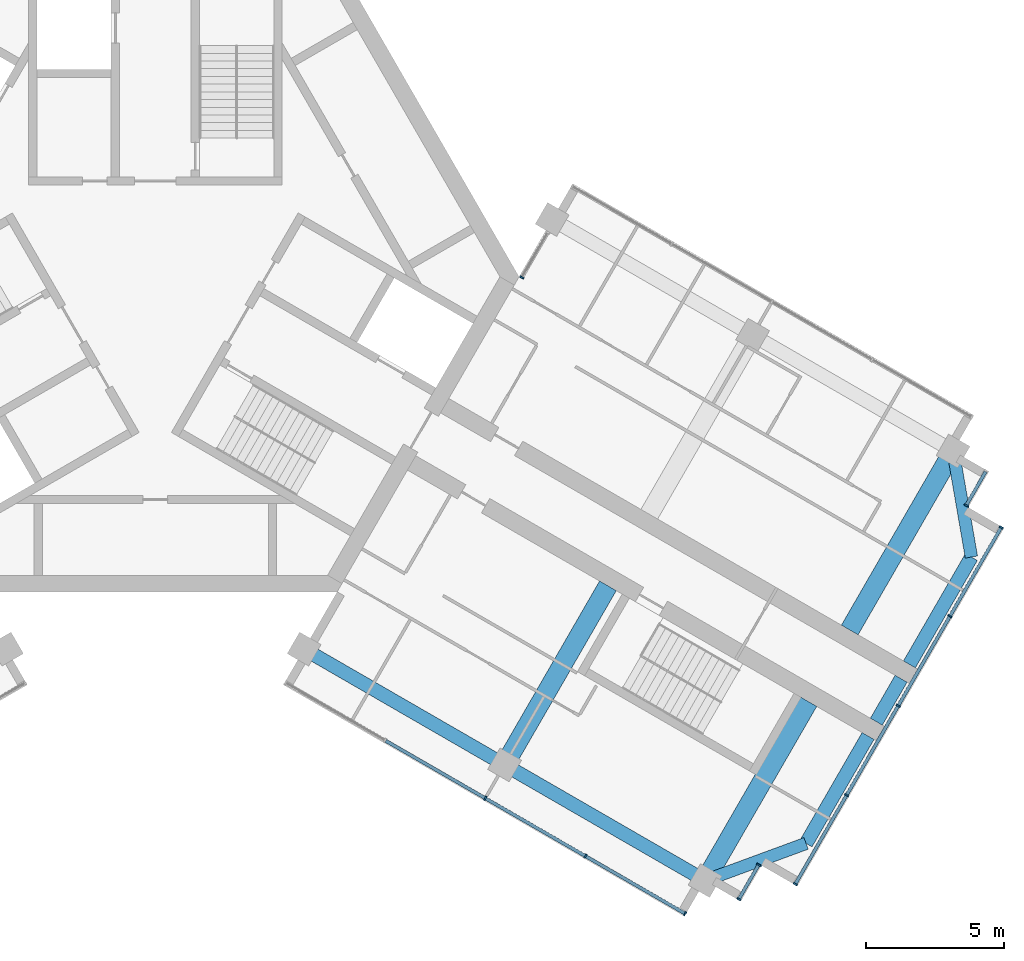
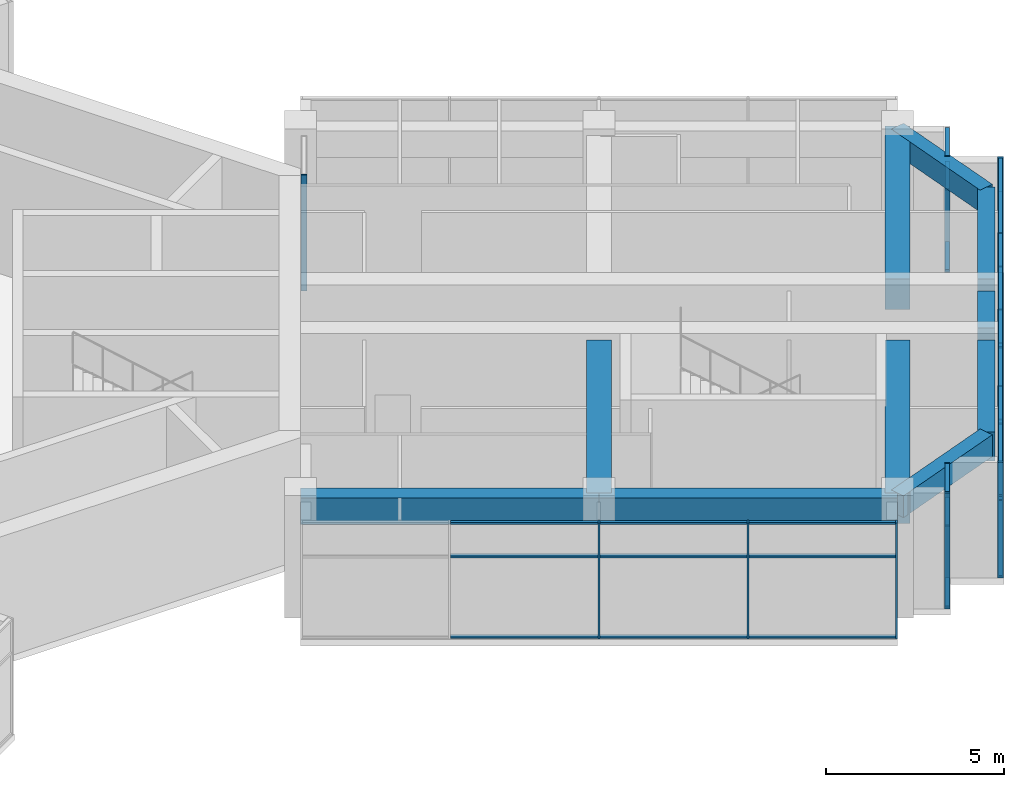
# One storey, part 4 of 13: 39 members, 10 beams, 5 elements without a shape of their own.
"""IFC4 building model written with IfcOpenShell, lengths in metres."""

from ifc_helpers import new_model, si_unit, direction, frame, origin, origin_2d, place, context, subcontext, project, spatial, rectangle, extrude, material, material_profile, profile_set, type_object, element, aggregate, save


model = new_model("IFC4")

# Units and contexts
model_context = context("Model", 3, precision=1e-05, world=origin(), true_north=direction((0.0, 1.0)))
body_context = subcontext(model_context, "Body", "Model", "MODEL_VIEW")
ifc_project = project(units=[si_unit("LENGTHUNIT", "METRE"), si_unit("AREAUNIT", "SQUARE_METRE"), si_unit("VOLUMEUNIT", "CUBIC_METRE"), si_unit("PLANEANGLEUNIT", "RADIAN"), si_unit("MASSUNIT", "GRAM", prefix="KILO")], contexts=[model_context])

# Site, building, storey
site_placement = place(None, origin())
site = spatial("IfcSite", under=ifc_project, at=site_placement, CompositionType="ELEMENT")
building_placement = place(site_placement, origin())
building = spatial("IfcBuilding", under=site, at=building_placement, Name="Impinga Residences", CompositionType="ELEMENT")
storey_placement = place(building_placement, frame((0.0, 0.0, 287.35009765625)))
storey = spatial("IfcBuildingStorey", under=building, at=storey_placement, Name="L72", CompositionType="ELEMENT", Elevation=287.35009765625)

# Beams
ifc_material_1 = material(Name="Concrete C60/75", Category="concrete")
ifc_material_profile_1 = material_profile(ifc_material_1, rectangle(XDim=0.449951171875, YDim=0.75, at=origin_2d()), Name="RC 450x750")
ifc_profile_set_1 = profile_set([ifc_material_profile_1], Name="Concrete C60/75")
beam_type_1 = type_object("IfcBeamType", Name="CB1 450x750 wing end cantilever beam", PredefinedType="BEAM", material=ifc_profile_set_1)
beam_1_placement = place(storey_placement, frame((28.94921875, -6.321533203125, 3.60498046875), z_axis=(0.170296298948, -0.985392901621, 0.0), x_axis=(0.985392901621, 0.170296298948, 0.0)))
element("IfcBeam", 1, at=beam_1_placement, inside=storey, type_object=beam_type_1, Name="Beam CB1 EB E3-EX level L73", PredefinedType="BEAM", context=body_context, shape_type="SweptSolid", body=[
    extrude(rectangle(XDim=0.449951171875, YDim=0.75, at=origin_2d()), origin(), (0.0, 0.0, 1.0), 3.9052734375),
])
beam_2_placement = place(storey_placement, frame((19.94921875, -21.909912109375, 3.60498046875), z_axis=(0.93854043338, 0.345169313396, 0.0), x_axis=(-0.345169313396, 0.93854043338, 0.0)))
element("IfcBeam", 2, at=beam_2_placement, inside=storey, type_object=beam_type_1, Name="Beam CB1 EE E3-EX level L73", PredefinedType="BEAM", context=body_context, shape_type="SweptSolid", body=[
    extrude(rectangle(XDim=0.449951171875, YDim=0.75, at=origin_2d()), origin(), (0.0, 0.0, 1.0), 3.905029296875),
])
ifc_material_profile_2 = material_profile(ifc_material_1, rectangle(XDim=0.699951171875, YDim=1.050048828125, at=origin_2d()), Name="RC 700x1050")
ifc_profile_set_2 = profile_set([ifc_material_profile_2], Name="Concrete C60/75")
beam_type_2 = type_object("IfcBeamType", Name="CG1 700x1050 cross girder on a wing bay line", PredefinedType="BEAM", material=ifc_profile_set_2)
for number, where, z_axis, x_axis, name in (
    (3, (25.19921875, -12.816650390625, 3.454833984375), (0.500004234368, 0.866022959057, 0.0), (-0.866022959057, 0.500004234368, 0.0), "Beam CG1 E3 EC/EA level L73"),
    (4, (16.424560546875, -11.21484375, 3.454833984375), (-0.500004234368, -0.866022959057, 0.0), (0.866022959057, -0.500004234368, 0.0), "Beam CG1 E2 EC/EF level L73"),
    (5, (23.69921875, -15.414794921875, 3.454833984375), (-0.500004234368, -0.866022959057, 0.0), (0.866022959057, -0.500004234368, 0.0), "Beam CG1 E3 EC/EF level L73"),
):
    element("IfcBeam", number, at=place(storey_placement, frame(where, z_axis=z_axis, x_axis=x_axis)), inside=storey, type_object=beam_type_2, Name=name, PredefinedType="BEAM", context=body_context, shape_type="SweptSolid", body=[
        extrude(rectangle(XDim=0.699951171875, YDim=1.050048828125, at=origin_2d()), origin(), (0.0, 0.0, 1.0), 7.5),
    ])

# Curtain wall, member
ifc_material_2 = material(Name="Aluminium stick curtain wall", Category="aluminium")
curtain_wall_type = type_object("IfcCurtainWallType", Name="CW3 penthouse curtain wall", PredefinedType="USERDEFINED", material=ifc_material_2)
curtain_wall_1_placement = place(storey_placement, origin())
curtain_wall_1 = element("IfcCurtainWall", 6, at=curtain_wall_1_placement, inside=storey, type_object=curtain_wall_type, Name="Curtain wall CW3 L72", ObjectType="STICK CURTAIN WALL", PredefinedType="USERDEFINED")
ifc_material_3 = material(Name="Aluminium mullion", Category="aluminium")
ifc_material_profile_3 = material_profile(ifc_material_3, rectangle(XDim=0.06005859375, YDim=0.159912109375, at=origin_2d()), Name="60x160 mullion")
ifc_profile_set_3 = profile_set([ifc_material_profile_3], Name="Aluminium mullion")
member_type_1 = type_object("IfcMemberType", Name="CW3-M mullion 60x160", PredefinedType="MULLION", material=ifc_profile_set_3)
member_1_placement = place(storey_placement, frame((29.4267578125, -8.294677734375, 0.0), z_axis=(0.0, 0.0, 1.0), x_axis=(-0.500000030502, -0.866025386174, 0.0)))
member_1 = element("IfcMember", 7, at=member_1_placement, type_object=member_type_1, Name="CW3 mullion 2", PredefinedType="MULLION", context=body_context, shape_type="SweptSolid", body=[
    extrude(rectangle(XDim=0.06005859375, YDim=0.159912109375, at=origin_2d()), origin(), (0.0, 0.0, 1.0), 3.97998046875),
])

# Curtain wall, members
curtain_wall_2_placement = place(storey_placement, origin())
curtain_wall_2 = element("IfcCurtainWall", 8, at=curtain_wall_2_placement, inside=storey, type_object=curtain_wall_type, Name="Curtain wall CW3 L72", ObjectType="STICK CURTAIN WALL", PredefinedType="USERDEFINED")
member_2_placement = place(storey_placement, frame((30.69580078125, -9.0966796875, 0.0), z_axis=(0.0, 0.0, 1.0), x_axis=(-0.500000001632, -0.866025402842, 0.0)))
member_2 = element("IfcMember", 9, at=member_2_placement, type_object=member_type_1, Name="CW3 mullion 1", PredefinedType="MULLION", context=body_context, shape_type="SweptSolid", body=[
    extrude(rectangle(XDim=0.06005859375, YDim=0.159912109375, at=origin_2d()), origin(), (0.0, 0.0, 1.0), 3.97998046875),
])
member_3_placement = place(storey_placement, frame((28.835693359375, -12.318115234375, 0.0), z_axis=(0.0, 0.0, 1.0), x_axis=(-0.500000001632, -0.866025402842, 0.0)))
member_3 = element("IfcMember", 10, at=member_3_placement, type_object=member_type_1, Name="CW3 mullion 2", PredefinedType="MULLION", context=body_context, shape_type="SweptSolid", body=[
    extrude(rectangle(XDim=0.06005859375, YDim=0.159912109375, at=origin_2d()), origin(), (0.0, 0.0, 1.0), 3.97998046875),
])
member_4_placement = place(storey_placement, frame((26.960693359375, -15.565673828125, 0.0), z_axis=(0.0, 0.0, 1.0), x_axis=(-0.500000001632, -0.866025402842, 0.0)))
member_4 = element("IfcMember", 11, at=member_4_placement, type_object=member_type_1, Name="CW3 mullion 3", PredefinedType="MULLION", context=body_context, shape_type="SweptSolid", body=[
    extrude(rectangle(XDim=0.06005859375, YDim=0.159912109375, at=origin_2d()), origin(), (0.0, 0.0, 1.0), 3.97998046875),
])
member_5_placement = place(storey_placement, frame((25.085693359375, -18.8134765625, 0.0), z_axis=(0.0, 0.0, 1.0), x_axis=(-0.500000001632, -0.866025402842, 0.0)))
member_5 = element("IfcMember", 12, at=member_5_placement, type_object=member_type_1, Name="CW3 mullion 4", PredefinedType="MULLION", context=body_context, shape_type="SweptSolid", body=[
    extrude(rectangle(XDim=0.06005859375, YDim=0.159912109375, at=origin_2d()), origin(), (0.0, 0.0, 1.0), 3.97998046875),
])
member_6_placement = place(storey_placement, frame((23.2255859375, -22.034912109375, 0.0), z_axis=(0.0, 0.0, 1.0), x_axis=(-0.500000001632, -0.866025402842, 0.0)))
member_6 = element("IfcMember", 13, at=member_6_placement, type_object=member_type_1, Name="CW3 mullion 5", PredefinedType="MULLION", context=body_context, shape_type="SweptSolid", body=[
    extrude(rectangle(XDim=0.06005859375, YDim=0.159912109375, at=origin_2d()), origin(), (0.0, 0.0, 1.0), 3.97998046875),
])

curtain_wall_3_placement = place(storey_placement, origin())
curtain_wall_3 = element("IfcCurtainWall", 14, at=curtain_wall_3_placement, inside=storey, type_object=curtain_wall_type, Name="Curtain wall CW3 L72", ObjectType="STICK CURTAIN WALL", PredefinedType="USERDEFINED")
member_7_placement = place(storey_placement, frame((21.896728515625, -21.3369140625, 0.0), z_axis=(0.0, 0.0, 1.0), x_axis=(-0.500000030502, -0.866025386174, 0.0)))
member_7 = element("IfcMember", 15, at=member_7_placement, type_object=member_type_1, Name="CW3 mullion 1", PredefinedType="MULLION", context=body_context, shape_type="SweptSolid", body=[
    extrude(rectangle(XDim=0.06005859375, YDim=0.159912109375, at=origin_2d()), origin(), (0.0, 0.0, 1.0), 3.97998046875),
])
member_8_placement = place(storey_placement, frame((21.1767578125, -22.583984375, 0.0), z_axis=(0.0, 0.0, 1.0), x_axis=(-0.500000030502, -0.866025386174, 0.0)))
member_8 = element("IfcMember", 16, at=member_8_placement, type_object=member_type_1, Name="CW3 mullion 2", PredefinedType="MULLION", context=body_context, shape_type="SweptSolid", body=[
    extrude(rectangle(XDim=0.06005859375, YDim=0.159912109375, at=origin_2d()), origin(), (0.0, 0.0, 1.0), 3.97998046875),
])

curtain_wall_4_placement = place(storey_placement, origin())
curtain_wall_4 = element("IfcCurtainWall", 17, at=curtain_wall_4_placement, inside=storey, type_object=curtain_wall_type, Name="Curtain wall CW3 L72", ObjectType="STICK CURTAIN WALL", PredefinedType="USERDEFINED")
member_9_placement = place(storey_placement, frame((19.22314453125, -23.107421875, 0.0), z_axis=(0.0, 0.0, 1.0), x_axis=(-0.866025407005, 0.499999994423, 0.0)))
member_9 = element("IfcMember", 18, at=member_9_placement, type_object=member_type_1, Name="CW3 mullion 1", PredefinedType="MULLION", context=body_context, shape_type="SweptSolid", body=[
    extrude(rectangle(XDim=0.06005859375, YDim=0.159912109375, at=origin_2d()), origin(), (0.0, 0.0, 1.0), 3.97998046875),
])
member_10_placement = place(storey_placement, frame((15.61181640625, -21.0224609375, 0.0), z_axis=(0.0, 0.0, 1.0), x_axis=(-0.866025407005, 0.499999994423, 0.0)))
member_10 = element("IfcMember", 19, at=member_10_placement, type_object=member_type_1, Name="CW3 mullion 2", PredefinedType="MULLION", context=body_context, shape_type="SweptSolid", body=[
    extrude(rectangle(XDim=0.06005859375, YDim=0.159912109375, at=origin_2d()), origin(), (0.0, 0.0, 1.0), 3.97998046875),
])
member_11_placement = place(storey_placement, frame((11.974609375, -18.92236328125, 0.0), z_axis=(0.0, 0.0, 1.0), x_axis=(-0.866025407005, 0.499999994423, 0.0)))
member_11 = element("IfcMember", 20, at=member_11_placement, type_object=member_type_1, Name="CW3 mullion 3", PredefinedType="MULLION", context=body_context, shape_type="SweptSolid", body=[
    extrude(rectangle(XDim=0.06005859375, YDim=0.159912109375, at=origin_2d()), origin(), (0.0, 0.0, 1.0), 3.97998046875),
])

# Curtain wall, member
curtain_wall_5_placement = place(storey_placement, origin())
curtain_wall_5 = element("IfcCurtainWall", 21, at=curtain_wall_5_placement, inside=storey, type_object=curtain_wall_type, Name="Curtain wall CW3 L72", ObjectType="STICK CURTAIN WALL", PredefinedType="USERDEFINED")
member_12_placement = place(storey_placement, frame((13.301513671875, -0.02392578125, 0.0), z_axis=(0.0, 0.0, 1.0), x_axis=(0.50000010257, 0.866025344565, 0.0)))
member_12 = element("IfcMember", 22, at=member_12_placement, type_object=member_type_1, Name="CW3 mullion 1", PredefinedType="MULLION", context=body_context, shape_type="SweptSolid", body=[
    extrude(rectangle(XDim=0.06005859375, YDim=0.159912109375, at=origin_2d()), origin(), (0.0, 0.0, 1.0), 3.97998046875),
])
aggregate(curtain_wall_5, [member_12])

# Member
ifc_material_4 = material(Name="Aluminium transom", Category="aluminium")
ifc_material_profile_4 = material_profile(ifc_material_4, rectangle(XDim=0.06005859375, YDim=0.1201171875, at=origin_2d()), Name="60x120 transom")
ifc_profile_set_4 = profile_set([ifc_material_profile_4], Name="Aluminium transom")
member_type_2 = type_object("IfcMemberType", Name="CW3-T transom 60x120", PredefinedType="USERDEFINED", material=ifc_profile_set_4)
member_13_placement = place(storey_placement, frame((30.131591796875, -7.073486328125, 0.02978515625), z_axis=(-0.499982807329, -0.86603532975, 0.0), x_axis=(0.0, 0.0, 1.0)))
member_13 = element("IfcMember", 23, at=member_13_placement, type_object=member_type_2, Name="CW3 transom 1.1", ObjectType="TRANSOM", PredefinedType="USERDEFINED", context=body_context, shape_type="SweptSolid", body=[
    extrude(rectangle(XDim=0.06005859375, YDim=0.1201171875, at=origin_2d()), origin(), (0.0, 0.0, 1.0), 1.3798828125),
])

member_14_placement = place(storey_placement, frame((30.131591796875, -7.073486328125, 2.7998046875), z_axis=(-0.499982807329, -0.86603532975, 0.0), x_axis=(0.0, 0.0, 1.0)))
member_14 = element("IfcMember", 24, at=member_14_placement, type_object=member_type_2, Name="CW3 transom 1.2", ObjectType="TRANSOM", PredefinedType="USERDEFINED", context=body_context, shape_type="SweptSolid", body=[
    extrude(rectangle(XDim=0.06005859375, YDim=0.1201171875, at=origin_2d()), origin(), (0.0, 0.0, 1.0), 1.3798828125),
])

member_15_placement = place(storey_placement, frame((30.131591796875, -7.073486328125, 3.949951171875), z_axis=(-0.499982807329, -0.86603532975, 0.0), x_axis=(0.0, 0.0, 1.0)))
member_15 = element("IfcMember", 25, at=member_15_placement, type_object=member_type_2, Name="CW3 transom 1.3", ObjectType="TRANSOM", PredefinedType="USERDEFINED", context=body_context, shape_type="SweptSolid", body=[
    extrude(rectangle(XDim=0.06005859375, YDim=0.1201171875, at=origin_2d()), origin(), (0.0, 0.0, 1.0), 1.3798828125),
])

aggregate(curtain_wall_1, [member_1, member_13, member_14, member_15])

member_16_placement = place(storey_placement, frame((30.6806640625, -9.12255859375, 0.02978515625), z_axis=(-0.500013080017, -0.866017851902, 0.0), x_axis=(0.0, 0.0, 1.0)))
member_16 = element("IfcMember", 26, at=member_16_placement, type_object=member_type_2, Name="CW3 transom 1.1", ObjectType="TRANSOM", PredefinedType="USERDEFINED", context=body_context, shape_type="SweptSolid", body=[
    extrude(rectangle(XDim=0.06005859375, YDim=0.1201171875, at=origin_2d()), origin(), (0.0, 0.0, 1.0), 3.66015625),
])

member_17_placement = place(storey_placement, frame((30.6806640625, -9.12255859375, 2.7998046875), z_axis=(-0.500013080017, -0.866017851902, 0.0), x_axis=(0.0, 0.0, 1.0)))
member_17 = element("IfcMember", 27, at=member_17_placement, type_object=member_type_2, Name="CW3 transom 1.2", ObjectType="TRANSOM", PredefinedType="USERDEFINED", context=body_context, shape_type="SweptSolid", body=[
    extrude(rectangle(XDim=0.06005859375, YDim=0.1201171875, at=origin_2d()), origin(), (0.0, 0.0, 1.0), 3.66015625),
])

member_18_placement = place(storey_placement, frame((30.6806640625, -9.12255859375, 3.949951171875), z_axis=(-0.500013080017, -0.866017851902, 0.0), x_axis=(0.0, 0.0, 1.0)))
member_18 = element("IfcMember", 28, at=member_18_placement, type_object=member_type_2, Name="CW3 transom 1.3", ObjectType="TRANSOM", PredefinedType="USERDEFINED", context=body_context, shape_type="SweptSolid", body=[
    extrude(rectangle(XDim=0.06005859375, YDim=0.1201171875, at=origin_2d()), origin(), (0.0, 0.0, 1.0), 3.66015625),
])

member_19_placement = place(storey_placement, frame((28.82080078125, -12.34423828125, 0.02978515625), z_axis=(-0.500052713345, -0.865994967581, 0.0), x_axis=(0.0, 0.0, 1.0)))
member_19 = element("IfcMember", 29, at=member_19_placement, type_object=member_type_2, Name="CW3 transom 2.1", ObjectType="TRANSOM", PredefinedType="USERDEFINED", context=body_context, shape_type="SweptSolid", body=[
    extrude(rectangle(XDim=0.06005859375, YDim=0.1201171875, at=origin_2d()), origin(), (0.0, 0.0, 1.0), 3.68994140625),
])

member_20_placement = place(storey_placement, frame((28.82080078125, -12.34423828125, 2.7998046875), z_axis=(-0.500052713345, -0.865994967581, 0.0), x_axis=(0.0, 0.0, 1.0)))
member_20 = element("IfcMember", 30, at=member_20_placement, type_object=member_type_2, Name="CW3 transom 2.2", ObjectType="TRANSOM", PredefinedType="USERDEFINED", context=body_context, shape_type="SweptSolid", body=[
    extrude(rectangle(XDim=0.06005859375, YDim=0.1201171875, at=origin_2d()), origin(), (0.0, 0.0, 1.0), 3.68994140625),
])

member_21_placement = place(storey_placement, frame((28.82080078125, -12.34423828125, 3.949951171875), z_axis=(-0.500052713345, -0.865994967581, 0.0), x_axis=(0.0, 0.0, 1.0)))
member_21 = element("IfcMember", 31, at=member_21_placement, type_object=member_type_2, Name="CW3 transom 2.3", ObjectType="TRANSOM", PredefinedType="USERDEFINED", context=body_context, shape_type="SweptSolid", body=[
    extrude(rectangle(XDim=0.06005859375, YDim=0.1201171875, at=origin_2d()), origin(), (0.0, 0.0, 1.0), 3.68994140625),
])

member_22_placement = place(storey_placement, frame((26.94580078125, -15.591796875, 0.02978515625), z_axis=(-0.500052713345, -0.865994967581, 0.0), x_axis=(0.0, 0.0, 1.0)))
member_22 = element("IfcMember", 32, at=member_22_placement, type_object=member_type_2, Name="CW3 transom 3.1", ObjectType="TRANSOM", PredefinedType="USERDEFINED", context=body_context, shape_type="SweptSolid", body=[
    extrude(rectangle(XDim=0.06005859375, YDim=0.1201171875, at=origin_2d()), origin(), (0.0, 0.0, 1.0), 3.68994140625),
])

member_23_placement = place(storey_placement, frame((26.94580078125, -15.591796875, 2.7998046875), z_axis=(-0.500052713345, -0.865994967581, 0.0), x_axis=(0.0, 0.0, 1.0)))
member_23 = element("IfcMember", 33, at=member_23_placement, type_object=member_type_2, Name="CW3 transom 3.2", ObjectType="TRANSOM", PredefinedType="USERDEFINED", context=body_context, shape_type="SweptSolid", body=[
    extrude(rectangle(XDim=0.06005859375, YDim=0.1201171875, at=origin_2d()), origin(), (0.0, 0.0, 1.0), 3.68994140625),
])

member_24_placement = place(storey_placement, frame((26.94580078125, -15.591796875, 3.949951171875), z_axis=(-0.500052713345, -0.865994967581, 0.0), x_axis=(0.0, 0.0, 1.0)))
member_24 = element("IfcMember", 34, at=member_24_placement, type_object=member_type_2, Name="CW3 transom 3.3", ObjectType="TRANSOM", PredefinedType="USERDEFINED", context=body_context, shape_type="SweptSolid", body=[
    extrude(rectangle(XDim=0.06005859375, YDim=0.1201171875, at=origin_2d()), origin(), (0.0, 0.0, 1.0), 3.68994140625),
])

member_25_placement = place(storey_placement, frame((25.07080078125, -18.83935546875, 0.02978515625), z_axis=(-0.500013080017, -0.866017851902, 0.0), x_axis=(0.0, 0.0, 1.0)))
member_25 = element("IfcMember", 35, at=member_25_placement, type_object=member_type_2, Name="CW3 transom 4.1", ObjectType="TRANSOM", PredefinedType="USERDEFINED", context=body_context, shape_type="SweptSolid", body=[
    extrude(rectangle(XDim=0.06005859375, YDim=0.1201171875, at=origin_2d()), origin(), (0.0, 0.0, 1.0), 3.66015625),
])

member_26_placement = place(storey_placement, frame((25.07080078125, -18.83935546875, 2.7998046875), z_axis=(-0.500013080017, -0.866017851902, 0.0), x_axis=(0.0, 0.0, 1.0)))
member_26 = element("IfcMember", 36, at=member_26_placement, type_object=member_type_2, Name="CW3 transom 4.2", ObjectType="TRANSOM", PredefinedType="USERDEFINED", context=body_context, shape_type="SweptSolid", body=[
    extrude(rectangle(XDim=0.06005859375, YDim=0.1201171875, at=origin_2d()), origin(), (0.0, 0.0, 1.0), 3.66015625),
])

member_27_placement = place(storey_placement, frame((25.07080078125, -18.83935546875, 3.949951171875), z_axis=(-0.500013080017, -0.866017851902, 0.0), x_axis=(0.0, 0.0, 1.0)))
member_27 = element("IfcMember", 37, at=member_27_placement, type_object=member_type_2, Name="CW3 transom 4.3", ObjectType="TRANSOM", PredefinedType="USERDEFINED", context=body_context, shape_type="SweptSolid", body=[
    extrude(rectangle(XDim=0.06005859375, YDim=0.1201171875, at=origin_2d()), origin(), (0.0, 0.0, 1.0), 3.66015625),
])

aggregate(curtain_wall_2, [member_2, member_3, member_4, member_5, member_6, member_16, member_17, member_18, member_19, member_20, member_21, member_22, member_23, member_24, member_25, member_26, member_27])

member_28_placement = place(storey_placement, frame((21.881591796875, -21.363037109375, 0.02978515625), z_axis=(-0.499982807329, -0.86603532975, 0.0), x_axis=(0.0, 0.0, 1.0)))
member_28 = element("IfcMember", 38, at=member_28_placement, type_object=member_type_2, Name="CW3 transom 1.1", ObjectType="TRANSOM", PredefinedType="USERDEFINED", context=body_context, shape_type="SweptSolid", body=[
    extrude(rectangle(XDim=0.06005859375, YDim=0.1201171875, at=origin_2d()), origin(), (0.0, 0.0, 1.0), 1.3798828125),
])

member_29_placement = place(storey_placement, frame((21.881591796875, -21.363037109375, 2.7998046875), z_axis=(-0.499982807329, -0.86603532975, 0.0), x_axis=(0.0, 0.0, 1.0)))
member_29 = element("IfcMember", 39, at=member_29_placement, type_object=member_type_2, Name="CW3 transom 1.2", ObjectType="TRANSOM", PredefinedType="USERDEFINED", context=body_context, shape_type="SweptSolid", body=[
    extrude(rectangle(XDim=0.06005859375, YDim=0.1201171875, at=origin_2d()), origin(), (0.0, 0.0, 1.0), 1.3798828125),
])

member_30_placement = place(storey_placement, frame((21.881591796875, -21.363037109375, 3.949951171875), z_axis=(-0.499982807329, -0.86603532975, 0.0), x_axis=(0.0, 0.0, 1.0)))
member_30 = element("IfcMember", 40, at=member_30_placement, type_object=member_type_2, Name="CW3 transom 1.3", ObjectType="TRANSOM", PredefinedType="USERDEFINED", context=body_context, shape_type="SweptSolid", body=[
    extrude(rectangle(XDim=0.06005859375, YDim=0.1201171875, at=origin_2d()), origin(), (0.0, 0.0, 1.0), 1.3798828125),
])

aggregate(curtain_wall_3, [member_7, member_8, member_28, member_29, member_30])

member_31_placement = place(storey_placement, frame((19.197265625, -23.092529296875, 0.02978515625), z_axis=(-0.866004557827, 0.500036104519, 0.0), x_axis=(0.0, 0.0, 1.0)))
member_31 = element("IfcMember", 41, at=member_31_placement, type_object=member_type_2, Name="CW3 transom 1.1", ObjectType="TRANSOM", PredefinedType="USERDEFINED", context=body_context, shape_type="SweptSolid", body=[
    extrude(rectangle(XDim=0.06005859375, YDim=0.1201171875, at=origin_2d()), origin(), (0.0, 0.0, 1.0), 4.110107421875),
])

member_32_placement = place(storey_placement, frame((19.197265625, -23.092529296875, 2.7998046875), z_axis=(-0.866004557827, 0.500036104519, 0.0), x_axis=(0.0, 0.0, 1.0)))
member_32 = element("IfcMember", 42, at=member_32_placement, type_object=member_type_2, Name="CW3 transom 1.2", ObjectType="TRANSOM", PredefinedType="USERDEFINED", context=body_context, shape_type="SweptSolid", body=[
    extrude(rectangle(XDim=0.06005859375, YDim=0.1201171875, at=origin_2d()), origin(), (0.0, 0.0, 1.0), 4.110107421875),
])

member_33_placement = place(storey_placement, frame((19.197265625, -23.092529296875, 3.949951171875), z_axis=(-0.866004557827, 0.500036104519, 0.0), x_axis=(0.0, 0.0, 1.0)))
member_33 = element("IfcMember", 43, at=member_33_placement, type_object=member_type_2, Name="CW3 transom 1.3", ObjectType="TRANSOM", PredefinedType="USERDEFINED", context=body_context, shape_type="SweptSolid", body=[
    extrude(rectangle(XDim=0.06005859375, YDim=0.1201171875, at=origin_2d()), origin(), (0.0, 0.0, 1.0), 4.110107421875),
])

member_34_placement = place(storey_placement, frame((15.5859375, -21.00732421875, 0.02978515625), z_axis=(-0.866050071143, 0.499957272447, 0.0), x_axis=(0.0, 0.0, 1.0)))
member_34 = element("IfcMember", 44, at=member_34_placement, type_object=member_type_2, Name="CW3 transom 2.1", ObjectType="TRANSOM", PredefinedType="USERDEFINED", context=body_context, shape_type="SweptSolid", body=[
    extrude(rectangle(XDim=0.06005859375, YDim=0.1201171875, at=origin_2d()), origin(), (0.0, 0.0, 1.0), 4.139892578125),
])

member_35_placement = place(storey_placement, frame((15.5859375, -21.00732421875, 2.7998046875), z_axis=(-0.866050071143, 0.499957272447, 0.0), x_axis=(0.0, 0.0, 1.0)))
member_35 = element("IfcMember", 45, at=member_35_placement, type_object=member_type_2, Name="CW3 transom 2.2", ObjectType="TRANSOM", PredefinedType="USERDEFINED", context=body_context, shape_type="SweptSolid", body=[
    extrude(rectangle(XDim=0.06005859375, YDim=0.1201171875, at=origin_2d()), origin(), (0.0, 0.0, 1.0), 4.139892578125),
])

member_36_placement = place(storey_placement, frame((15.5859375, -21.00732421875, 3.949951171875), z_axis=(-0.866050071143, 0.499957272447, 0.0), x_axis=(0.0, 0.0, 1.0)))
member_36 = element("IfcMember", 46, at=member_36_placement, type_object=member_type_2, Name="CW3 transom 2.3", ObjectType="TRANSOM", PredefinedType="USERDEFINED", context=body_context, shape_type="SweptSolid", body=[
    extrude(rectangle(XDim=0.06005859375, YDim=0.1201171875, at=origin_2d()), origin(), (0.0, 0.0, 1.0), 4.139892578125),
])

member_37_placement = place(storey_placement, frame((11.94873046875, -18.907470703125, 0.02978515625), z_axis=(-0.866024536972, 0.500001501361, 0.0), x_axis=(0.0, 0.0, 1.0)))
member_37 = element("IfcMember", 47, at=member_37_placement, type_object=member_type_2, Name="CW3 transom 3.1", ObjectType="TRANSOM", PredefinedType="USERDEFINED", context=body_context, shape_type="SweptSolid", body=[
    extrude(rectangle(XDim=0.06005859375, YDim=0.1201171875, at=origin_2d()), origin(), (0.0, 0.0, 1.0), 4.14013671875),
])

member_38_placement = place(storey_placement, frame((11.94873046875, -18.907470703125, 2.7998046875), z_axis=(-0.866024536972, 0.500001501361, 0.0), x_axis=(0.0, 0.0, 1.0)))
member_38 = element("IfcMember", 48, at=member_38_placement, type_object=member_type_2, Name="CW3 transom 3.2", ObjectType="TRANSOM", PredefinedType="USERDEFINED", context=body_context, shape_type="SweptSolid", body=[
    extrude(rectangle(XDim=0.06005859375, YDim=0.1201171875, at=origin_2d()), origin(), (0.0, 0.0, 1.0), 4.14013671875),
])

member_39_placement = place(storey_placement, frame((11.94873046875, -18.907470703125, 3.949951171875), z_axis=(-0.866024536972, 0.500001501361, 0.0), x_axis=(0.0, 0.0, 1.0)))
member_39 = element("IfcMember", 49, at=member_39_placement, type_object=member_type_2, Name="CW3 transom 3.3", ObjectType="TRANSOM", PredefinedType="USERDEFINED", context=body_context, shape_type="SweptSolid", body=[
    extrude(rectangle(XDim=0.06005859375, YDim=0.1201171875, at=origin_2d()), origin(), (0.0, 0.0, 1.0), 4.14013671875),
])

aggregate(curtain_wall_4, [member_9, member_10, member_11, member_31, member_32, member_33, member_34, member_35, member_36, member_37, member_38, member_39])

# Beams
ifc_material_profile_5 = material_profile(ifc_material_1, rectangle(XDim=0.5, YDim=1.0, at=origin_2d()), Name="RC 500x1000")
ifc_profile_set_5 = profile_set([ifc_material_profile_5], Name="Concrete C60/75")
beam_type_3 = type_object("IfcBeamType", Name="EB1 500x1000 wing end beam", PredefinedType="BEAM", material=ifc_profile_set_5)
beam_3_placement = place(storey_placement, frame((29.6142578125, -10.169677734375, 3.47998046875), z_axis=(-0.500013631625, -0.866017533419, 0.0), x_axis=(0.866017533419, -0.500013631625, 0.0)))
element("IfcBeam", 50, at=beam_3_placement, inside=storey, type_object=beam_type_3, Name="Beam EB1 EX2 level L73", PredefinedType="BEAM", context=body_context, shape_type="SweptSolid", body=[
    extrude(rectangle(XDim=0.5, YDim=1.0, at=origin_2d()), origin(), (0.0, 0.0, 1.0), 4.499755859375),
])
beam_4_placement = place(storey_placement, frame((27.064208984375, -14.58642578125, 3.47998046875), z_axis=(-0.499961193289, -0.866047807691, 0.0), x_axis=(0.866047807691, -0.499961193289, 0.0)))
element("IfcBeam", 51, at=beam_4_placement, inside=storey, type_object=beam_type_3, Name="Beam EB1 EX2 level L73", PredefinedType="BEAM", context=body_context, shape_type="SweptSolid", body=[
    extrude(rectangle(XDim=0.5, YDim=1.0, at=origin_2d()), origin(), (0.0, 0.0, 1.0), 1.800048828125),
])
beam_5_placement = place(storey_placement, frame((25.8642578125, -16.664794921875, 3.47998046875), z_axis=(-0.499990139034, -0.866031096941, 0.0), x_axis=(0.866031096941, -0.499990139034, 0.0)))
element("IfcBeam", 52, at=beam_5_placement, inside=storey, type_object=beam_type_3, Name="Beam EB1 EX2 level L73", PredefinedType="BEAM", context=body_context, shape_type="SweptSolid", body=[
    extrude(rectangle(XDim=0.5, YDim=1.0, at=origin_2d()), origin(), (0.0, 0.0, 1.0), 4.5),
])
ifc_material_profile_6 = material_profile(ifc_material_1, rectangle(XDim=0.5, YDim=0.89990234375, at=origin_2d()), Name="RC 500x900")
ifc_profile_set_6 = profile_set([ifc_material_profile_6], Name="Concrete C60/75")
beam_type_4 = type_object("IfcBeamType", Name="SB1 500x900 perimeter spandrel beam", PredefinedType="SPANDREL", material=ifc_profile_set_6)
for number, where, z_axis, x_axis, name in (
    (53, (5.39990234375, -13.510009765625, 3.52978515625), (0.86602925447, -0.499993330357, 0.0), (0.499993330357, 0.86602925447, 0.0), "Beam SB1 EF E1-E2 level L73"),
    (54, (12.674560546875, -17.7099609375, 3.52978515625), (0.86602925447, -0.499993330357, 0.0), (0.499993330357, 0.86602925447, 0.0), "Beam SB1 EF E2-E3 level L73"),
):
    element("IfcBeam", number, at=place(storey_placement, frame(where, z_axis=z_axis, x_axis=x_axis)), inside=storey, type_object=beam_type_4, Name=name, PredefinedType="SPANDREL", context=body_context, shape_type="SweptSolid", body=[
        extrude(rectangle(XDim=0.5, YDim=0.89990234375, at=origin_2d()), origin(), (0.0, 0.0, 1.0), 8.39990234375),
    ])

save(model, "model.ifc")
